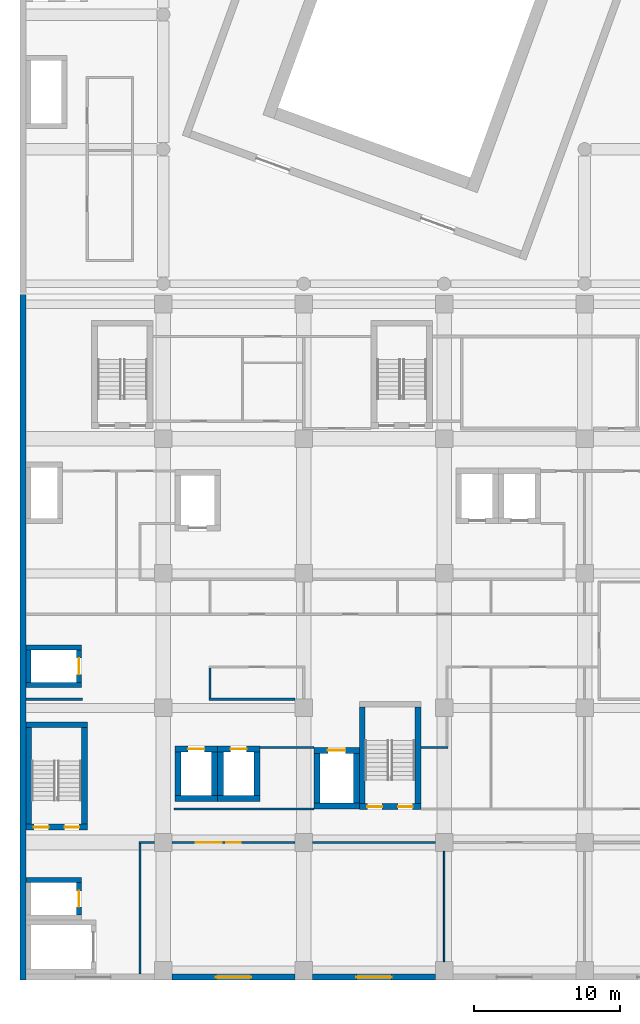
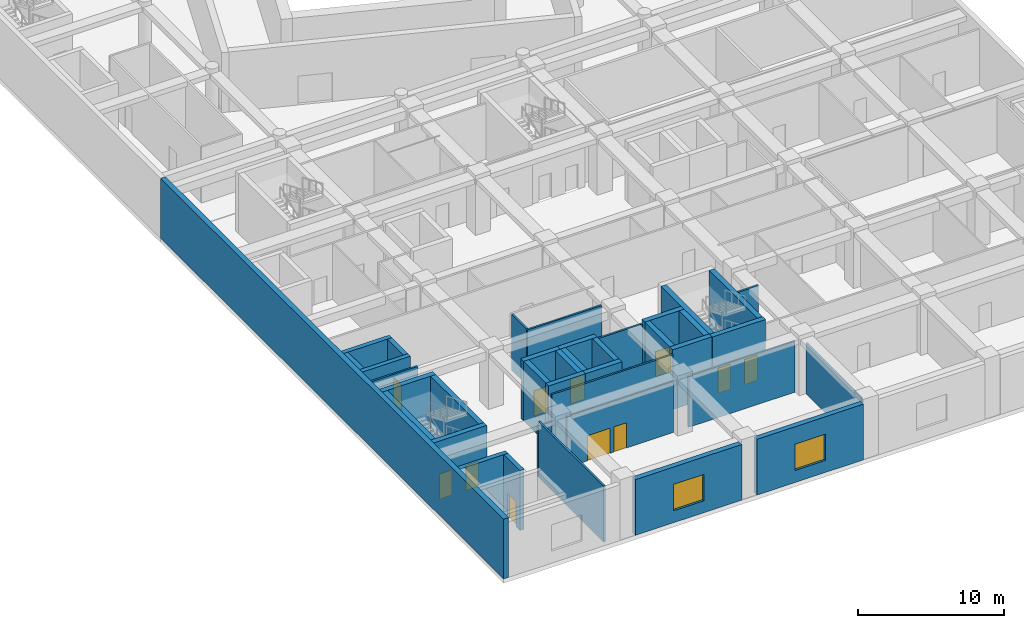
# One storey, part 9 of 31: 39 walls, 11 doors, 2 windows, 13 openings.
"""IFC4 building model written with IfcOpenShell, lengths in metres."""

from ifc_helpers import new_model, si_unit, direction, frame, frame_2d, origin, place, context, subcontext, project, spatial, rectangle, extrude, material, layer, layer_set, layer_usage, type_object, element, fill, save


model = new_model("IFC4")

# Units and contexts
model_context = context("Model", 3, precision=1e-05, world=origin(), true_north=direction((0.0, 1.0)))
body_context = subcontext(model_context, "Body", "Model", "MODEL_VIEW")
ifc_project = project(units=[si_unit("LENGTHUNIT", "METRE"), si_unit("AREAUNIT", "SQUARE_METRE"), si_unit("VOLUMEUNIT", "CUBIC_METRE"), si_unit("PLANEANGLEUNIT", "RADIAN"), si_unit("MASSUNIT", "GRAM", prefix="KILO")], contexts=[model_context])

# Site, building, storey
site_placement = place(None, origin())
site = spatial("IfcSite", under=ifc_project, at=site_placement, CompositionType="ELEMENT")
building_placement = place(site_placement, origin())
building = spatial("IfcBuilding", under=site, at=building_placement, Name="Nzadi Deep Aquarium and Research Tower", CompositionType="ELEMENT")
storey_placement = place(building_placement, frame((0.0, 0.0, 21.699951171875)))
storey = spatial("IfcBuildingStorey", under=building, at=storey_placement, Name="L03", CompositionType="ELEMENT", Elevation=21.699951171875)

# Walls
ifc_material_1 = material(Name="Blockwork masonry", Category="masonry")
ifc_layer_1 = layer(ifc_material_1, 0.10009765625)
ifc_layer_set_1 = layer_set([ifc_layer_1], Name="Blockwork masonry")
wall_type_1 = type_object("IfcWallType", Name="Partition 100 EI 30, 4.25 m high", PredefinedType="PARTITIONING", material=ifc_layer_set_1)
wall_1_placement = place(storey_placement, frame((28.800048828125, 1.050048828125, 0.0), z_axis=(0.0, 0.0, 1.0), x_axis=(0.0, 1.0, 0.0)))
element("IfcWall", 1, at=wall_1_placement, inside=storey, type_object=wall_type_1, Name="W-Z1-L03-P033", PredefinedType="PARTITIONING", context=body_context, shape_type="SweptSolid", body=[
    extrude(rectangle(XDim=7.550048828125, YDim=0.10009765625, at=frame_2d((3.77490234375, 0.0))), origin(), (0.0, 0.0, 1.0), 4.25),
])
ifc_material_2 = material(Name="Blockwork masonry", Category="masonry")
ifc_layer_2 = layer(ifc_material_2, 0.14990234375)
ifc_layer_set_2 = layer_set([ifc_layer_2], Name="Blockwork masonry")
wall_type_2 = type_object("IfcWallType", Name="Partition 150 EI 60", PredefinedType="PARTITIONING", material=ifc_layer_set_2)
wall_2_placement = place(storey_placement, frame((0.2060546875, 19.0, 0.0), z_axis=(0.0, 0.0, 1.0), x_axis=(1.0, 0.0, 0.0)))
element("IfcWall", 2, at=wall_2_placement, inside=storey, type_object=wall_type_2, Name="W-Z1-L03-P001", PredefinedType="PARTITIONING", context=body_context, shape_type="SweptSolid", body=[
    extrude(rectangle(XDim=3.868896484375, YDim=0.14990234375, at=frame_2d((1.9345703125, 0.0))), origin(), (0.0, 0.0, 1.0), 4.650146484375),
])
wall_3_placement = place(storey_placement, frame((8.0, 0.2060546875, 0.0), z_axis=(0.0, 0.0, 1.0), x_axis=(0.0, 1.0, 0.0)))
element("IfcWall", 3, at=wall_3_placement, inside=storey, type_object=wall_type_2, Name="W-Z1-L03-P005", PredefinedType="PARTITIONING", context=body_context, shape_type="SweptSolid", body=[
    extrude(rectangle(XDim=8.9189453125, YDim=0.14990234375, at=frame_2d((4.45947265625, 0.0))), origin(), (0.0, 0.0, 1.0), 4.650146484375),
])
wall_4_placement = place(storey_placement, frame((10.324951171875, 11.5, 0.0), z_axis=(0.0, 0.0, 1.0), x_axis=(1.0, 0.0, 0.0)))
element("IfcWall", 4, at=wall_4_placement, inside=storey, type_object=wall_type_2, Name="W-Z1-L03-P014", PredefinedType="PARTITIONING", context=body_context, shape_type="SweptSolid", body=[
    extrude(rectangle(XDim=9.569091796875, YDim=0.14990234375, at=frame_2d((4.78466796875, 0.0))), origin(), (0.0, 0.0, 1.0), 4.650146484375),
])
wall_5_placement = place(storey_placement, frame((12.72509765625, 19.0, 0.0), z_axis=(0.0, 0.0, 1.0), x_axis=(1.0, 0.0, 0.0)))
element("IfcWall", 5, at=wall_5_placement, inside=storey, type_object=wall_type_2, Name="W-Z1-L03-P015", PredefinedType="PARTITIONING", context=body_context, shape_type="SweptSolid", body=[
    extrude(rectangle(XDim=5.875, YDim=0.14990234375, at=frame_2d((2.9375, 0.0))), origin(), (0.0, 0.0, 1.0), 4.650146484375),
])
wall_6_placement = place(storey_placement, frame((12.800048828125, 19.074951171875, 0.0), z_axis=(0.0, 0.0, 1.0), x_axis=(0.0, 1.0, 0.0)))
element("IfcWall", 6, at=wall_6_placement, inside=storey, type_object=wall_type_2, Name="W-Z1-L03-P016", PredefinedType="PARTITIONING", context=body_context, shape_type="SweptSolid", body=[
    extrude(rectangle(XDim=2.050048828125, YDim=0.14990234375, at=frame_2d((1.02490234375, 0.0))), origin(), (0.0, 0.0, 1.0), 4.650146484375),
])
wall_7_placement = place(storey_placement, frame((16.2060546875, 15.699951171875, 0.0), z_axis=(0.0, 0.0, 1.0), x_axis=(1.0, 0.0, 0.0)))
element("IfcWall", 7, at=wall_7_placement, inside=storey, type_object=wall_type_2, Name="W-Z1-L03-P021", PredefinedType="PARTITIONING", context=body_context, shape_type="SweptSolid", body=[
    extrude(rectangle(XDim=3.68798828125, YDim=0.14990234375, at=frame_2d((1.843994140625, 0.0))), origin(), (0.0, 0.0, 1.0), 4.650146484375),
])
wall_8_placement = place(storey_placement, frame((27.2060546875, 15.699951171875, 0.0), z_axis=(0.0, 0.0, 1.0), x_axis=(1.0, 0.0, 0.0)))
element("IfcWall", 8, at=wall_8_placement, inside=storey, type_object=wall_type_2, Name="W-Z1-L03-P030", PredefinedType="PARTITIONING", context=body_context, shape_type="SweptSolid", body=[
    extrude(rectangle(XDim=1.868896484375, YDim=0.14990234375, at=frame_2d((0.9345703125, 0.0))), origin(), (0.0, 0.0, 1.0), 4.650146484375),
])
ifc_material_3 = material(Name="Blockwork masonry", Category="masonry")
ifc_layer_3 = layer(ifc_material_3, 0.14990234375)
ifc_layer_set_3 = layer_set([ifc_layer_3], Name="Blockwork masonry")
wall_type_3 = type_object("IfcWallType", Name="Partition 150 EI 60, 4.25 m high", PredefinedType="PARTITIONING", material=ifc_layer_set_3)
wall_9_placement = place(storey_placement, frame((7.925048828125, 9.199951171875, 0.0), z_axis=(0.0, 0.0, 1.0), x_axis=(1.0, 0.0, 0.0)))
element("IfcWall", 9, at=wall_9_placement, inside=storey, type_object=wall_type_3, Name="W-Z1-L03-P006", PredefinedType="PARTITIONING", context=body_context, shape_type="SweptSolid", body=[
    extrude(rectangle(XDim=1.074951171875, YDim=0.14990234375, at=frame_2d((0.53759765625, 0.0))), origin(), (0.0, 0.0, 1.0), 4.25),
])

# Wall, openings, doors
wall_10_placement = place(storey_placement, frame((10.199951171875, 9.199951171875, 0.0), z_axis=(0.0, 0.0, 1.0), x_axis=(1.0, 0.0, 0.0)))
wall_10 = element("IfcWall", 10, at=wall_10_placement, inside=storey, type_object=wall_type_3, Name="W-Z1-L03-P012", PredefinedType="PARTITIONING", context=body_context, shape_type="SweptSolid", body=[
    extrude(rectangle(XDim=8.400146484375, YDim=0.14990234375, at=frame_2d((4.2001953125, 0.0))), origin(), (0.0, 0.0, 1.0), 4.25),
])
opening_1_placement = place(wall_10_placement, frame((3.699951171875, 0.0, 0.0)))
opening_1 = element("IfcOpeningElement", 11, at=opening_1_placement, cuts=wall_10, Name="Opening D041015", PredefinedType="OPENING", context=body_context, shape_type="SweptSolid", body=[
    extrude(rectangle(XDim=1.0, YDim=2.10009765625, at=frame_2d((0.5, 1.050048828125))), frame((0.0, 0.0849609375, 0.0), z_axis=(0.0, -1.0, 0.0), x_axis=(1.0, 0.0, 0.0)), (0.0, 0.0, 1.0), 0.169921875),
])
opening_2_placement = place(wall_10_placement, frame((1.60009765625, 0.0, 0.0)))
opening_2 = element("IfcOpeningElement", 12, at=opening_2_placement, cuts=wall_10, Name="Opening D041025", PredefinedType="OPENING", context=body_context, shape_type="SweptSolid", body=[
    extrude(rectangle(XDim=1.800048828125, YDim=2.10009765625, at=frame_2d((0.89990234375, 1.050048828125))), frame((0.0, 0.0849609375, 0.0), z_axis=(0.0, -1.0, 0.0), x_axis=(1.0, 0.0, 0.0)), (0.0, 0.0, 1.0), 0.169921875),
])
ifc_material_4 = material(Name="Fire-rated steel door", Category="steel")
ifc_layer_4 = layer(ifc_material_4, 0.050048828125)
ifc_layer_set_4 = layer_set([ifc_layer_4], Name="Fire-rated steel door")
door_type_1 = type_object("IfcDoorType", Name="Door 1000x2100 EI 60 single", OperationType="SINGLE_SWING_LEFT", PredefinedType="DOOR", material=ifc_layer_set_4)
door_1_placement = place(opening_1_placement, origin())
door_1 = element("IfcDoor", 13, at=door_1_placement, inside=storey, type_object=door_type_1, Name="D041015", OperationType="SINGLE_SWING_LEFT", OverallHeight=2.10009765625, OverallWidth=1.0, PredefinedType="DOOR", context=body_context, shape_type="SweptSolid", body=[
    extrude(rectangle(XDim=1.0, YDim=2.10009765625, at=frame_2d((0.5, 1.050048828125))), frame((0.0, 0.02490234375, 0.0), z_axis=(0.0, -1.0, 0.0), x_axis=(1.0, 0.0, 0.0)), (0.0, 0.0, 1.0), 0.050048828125),
])
fill(opening_1, door_1)
ifc_material_5 = material(Name="Fire-rated steel door", Category="steel")
ifc_layer_5 = layer(ifc_material_5, 0.050048828125)
ifc_layer_set_5 = layer_set([ifc_layer_5], Name="Fire-rated steel door")
door_type_2 = type_object("IfcDoorType", Name="Door 1800x2100 EI 60 double", OperationType="DOUBLE_DOOR_SINGLE_SWING", PredefinedType="DOOR", material=ifc_layer_set_5)
door_2_placement = place(opening_2_placement, origin())
door_2 = element("IfcDoor", 14, at=door_2_placement, inside=storey, type_object=door_type_2, Name="D041025", OperationType="DOUBLE_DOOR_SINGLE_SWING", OverallHeight=2.10009765625, OverallWidth=1.800048828125, PredefinedType="DOOR", context=body_context, shape_type="SweptSolid", body=[
    extrude(rectangle(XDim=1.800048828125, YDim=2.10009765625, at=frame_2d((0.89990234375, 1.050048828125))), frame((0.0, 0.02490234375, 0.0), z_axis=(0.0, -1.0, 0.0), x_axis=(1.0, 0.0, 0.0)), (0.0, 0.0, 1.0), 0.050048828125),
])
fill(opening_2, door_2)

# Walls
wall_11_placement = place(storey_placement, frame((19.800048828125, 9.199951171875, 0.0), z_axis=(0.0, 0.0, 1.0), x_axis=(1.0, 0.0, 0.0)))
element("IfcWall", 15, at=wall_11_placement, inside=storey, type_object=wall_type_3, Name="W-Z1-L03-P026", PredefinedType="PARTITIONING", context=body_context, shape_type="SweptSolid", body=[
    extrude(rectangle(XDim=8.39990234375, YDim=0.14990234375, at=frame_2d((4.199951171875, 0.0))), origin(), (0.0, 0.0, 1.0), 4.25),
])
ifc_material_6 = material(Name="Concrete C35/45", Category="concrete")
ifc_layer_6 = layer(ifc_material_6, 0.35009765625)
ifc_layer_set_6 = layer_set([ifc_layer_6], Name="Concrete C35/45")
wall_type_4 = type_object("IfcWallType", Name="RC core wall 350", PredefinedType="SHEAR", material=ifc_layer_set_6)
wall_12_placement = place(storey_placement, frame((0.199951171875, 6.625, 0.0), z_axis=(0.0, 0.0, 1.0), x_axis=(1.0, 0.0, 0.0)))
element("IfcWall", 16, at=wall_12_placement, inside=storey, type_object=wall_type_4, Name="W-CORE-EL1-L03-N", PredefinedType="SHEAR", context=body_context, shape_type="SweptSolid", body=[
    extrude(rectangle(XDim=3.800048828125, YDim=0.35009765625, at=frame_2d((1.89990234375, 0.0))), origin(), (0.0, 0.0, 1.0), 5.0),
])

# Wall, opening, door
wall_13_placement = place(storey_placement, frame((3.824951171875, 4.25, 0.0), z_axis=(0.0, 0.0, 1.0), x_axis=(0.0, 1.0, 0.0)))
wall_13 = element("IfcWall", 17, at=wall_13_placement, inside=storey, type_object=wall_type_4, Name="W-CORE-EL1-L03-E", PredefinedType="SHEAR", context=body_context, shape_type="SweptSolid", body=[
    extrude(rectangle(XDim=2.199951171875, YDim=0.35009765625, at=frame_2d((1.10009765625, 0.0))), origin(), (0.0, 0.0, 1.0), 5.0),
])
opening_3_placement = place(wall_13_placement, frame((0.550048828125, 0.0, 0.0)))
opening_3 = element("IfcOpeningElement", 18, at=opening_3_placement, cuts=wall_13, Name="Opening LD-EL1-L03", PredefinedType="OPENING", context=body_context, shape_type="SweptSolid", body=[
    extrude(rectangle(XDim=1.10009765625, YDim=2.10009765625, at=frame_2d((0.550048828125, 1.050048828125))), frame((0.0, 0.18505859375, 0.0), z_axis=(0.0, -1.0, 0.0), x_axis=(1.0, 0.0, 0.0)), (0.0, 0.0, 1.0), 0.3701171875),
])
ifc_material_7 = material(Name="Stainless steel 1.4301", Category="steel")
door_type_3 = type_object("IfcDoorType", Name="LANDING DOOR 1100x2100", OperationType="DOUBLE_DOOR_SLIDING", PredefinedType="DOOR", material=ifc_material_7)
door_3_placement = place(opening_3_placement, origin())
door_3 = element("IfcDoor", 19, at=door_3_placement, inside=storey, type_object=door_type_3, Name="Landing door EL1 L03", OperationType="DOUBLE_DOOR_SLIDING", OverallHeight=2.10009765625, OverallWidth=1.10009765625, PredefinedType="DOOR", context=body_context, shape_type="SweptSolid", body=[
    extrude(rectangle(XDim=1.10009765625, YDim=2.10009765625, at=frame_2d((0.550048828125, 1.050048828125))), frame((0.0, 0.02490234375, 0.0), z_axis=(0.0, -1.0, 0.0), x_axis=(1.0, 0.0, 0.0)), (0.0, 0.0, 1.0), 0.050048828125),
])
fill(opening_3, door_3)

# Walls
for number, where, z_axis, x_axis, name in (
    (20, (0.199951171875, 19.97509765625, 0.0), (0.0, 0.0, 1.0), (1.0, 0.0, 0.0), "W-CORE-PL1-L03-S"),
    (21, (0.199951171875, 22.52490234375, 0.0), (0.0, 0.0, 1.0), (1.0, 0.0, 0.0), "W-CORE-PL1-L03-N"),
):
    element("IfcWall", number, at=place(storey_placement, frame(where, z_axis=z_axis, x_axis=x_axis)), inside=storey, type_object=wall_type_4, Name=name, PredefinedType="SHEAR", context=body_context, shape_type="SweptSolid", body=[
        extrude(rectangle(XDim=3.800048828125, YDim=0.35009765625, at=frame_2d((1.89990234375, 0.0))), origin(), (0.0, 0.0, 1.0), 5.0),
    ])
wall_14_placement = place(storey_placement, frame((0.375, 20.14990234375, 0.0), z_axis=(0.0, 0.0, 1.0), x_axis=(0.0, 1.0, 0.0)))
element("IfcWall", 22, at=wall_14_placement, inside=storey, type_object=wall_type_4, Name="W-CORE-PL1-L03-W", PredefinedType="SHEAR", context=body_context, shape_type="SweptSolid", body=[
    extrude(rectangle(XDim=2.2001953125, YDim=0.35009765625, at=frame_2d((1.10009765625, 0.0))), origin(), (0.0, 0.0, 1.0), 5.0),
])

# Wall, opening, door
wall_15_placement = place(storey_placement, frame((3.824951171875, 20.14990234375, 0.0), z_axis=(0.0, 0.0, 1.0), x_axis=(0.0, 1.0, 0.0)))
wall_15 = element("IfcWall", 23, at=wall_15_placement, inside=storey, type_object=wall_type_4, Name="W-CORE-PL1-L03-E", PredefinedType="SHEAR", context=body_context, shape_type="SweptSolid", body=[
    extrude(rectangle(XDim=2.2001953125, YDim=0.35009765625, at=frame_2d((1.10009765625, 0.0))), origin(), (0.0, 0.0, 1.0), 5.0),
])
opening_4_placement = place(wall_15_placement, frame((0.550048828125, 0.0, 0.0)))
opening_4 = element("IfcOpeningElement", 24, at=opening_4_placement, cuts=wall_15, Name="Opening LD-PL1-L03", PredefinedType="OPENING", context=body_context, shape_type="SweptSolid", body=[
    extrude(rectangle(XDim=1.10009765625, YDim=2.10009765625, at=frame_2d((0.550048828125, 1.050048828125))), frame((0.0, 0.18505859375, 0.0), z_axis=(0.0, -1.0, 0.0), x_axis=(1.0, 0.0, 0.0)), (0.0, 0.0, 1.0), 0.3701171875),
])
door_4_placement = place(opening_4_placement, origin())
door_4 = element("IfcDoor", 25, at=door_4_placement, inside=storey, type_object=door_type_3, Name="Landing door PL1 L03", OperationType="DOUBLE_DOOR_SLIDING", OverallHeight=2.10009765625, OverallWidth=1.10009765625, PredefinedType="DOOR", context=body_context, shape_type="SweptSolid", body=[
    extrude(rectangle(XDim=1.10009765625, YDim=2.10009765625, at=frame_2d((0.550048828125, 1.050048828125))), frame((0.0, 0.02490234375, 0.0), z_axis=(0.0, -1.0, 0.0), x_axis=(1.0, 0.0, 0.0)), (0.0, 0.0, 1.0), 0.050048828125),
])
fill(opening_4, door_4)

# Wall, openings, doors
ifc_material_8 = material(Name="Concrete C35/45", Category="concrete")
ifc_layer_7 = layer(ifc_material_8, 0.39990234375)
ifc_layer_set_7 = layer_set([ifc_layer_7], Name="Concrete C35/45")
wall_type_5 = type_object("IfcWallType", Name="RC core wall 400", PredefinedType="SHEAR", material=ifc_layer_set_7)
wall_16_placement = place(storey_placement, frame((0.199951171875, 10.25, 0.0), z_axis=(0.0, 0.0, 1.0), x_axis=(1.0, 0.0, 0.0)))
wall_16 = element("IfcWall", 26, at=wall_16_placement, inside=storey, type_object=wall_type_5, Name="W-CORE-ST-Z1-SW-L03-S", PredefinedType="SHEAR", context=body_context, shape_type="SweptSolid", body=[
    extrude(rectangle(XDim=4.199951171875, YDim=0.39990234375, at=frame_2d((2.10009765625, 0.0))), origin(), (0.0, 0.0, 1.0), 5.0),
])
opening_5_placement = place(wall_16_placement, frame((0.550048828125, 0.0, 0.0)))
opening_5 = element("IfcOpeningElement", 27, at=opening_5_placement, cuts=wall_16, Name="Opening DS-Z1-SW-L03A", PredefinedType="OPENING", context=body_context, shape_type="SweptSolid", body=[
    extrude(rectangle(XDim=1.0, YDim=2.10009765625, at=frame_2d((0.5, 1.050048828125))), frame((0.0, 0.2099609375, 0.0), z_axis=(0.0, -1.0, 0.0), x_axis=(1.0, 0.0, 0.0)), (0.0, 0.0, 1.0), 0.419921875),
])
opening_6_placement = place(wall_16_placement, frame((2.64990234375, 0.0, 0.0)))
opening_6 = element("IfcOpeningElement", 28, at=opening_6_placement, cuts=wall_16, Name="Opening DS-Z1-SW-L03B", PredefinedType="OPENING", context=body_context, shape_type="SweptSolid", body=[
    extrude(rectangle(XDim=1.0, YDim=2.10009765625, at=frame_2d((0.5, 1.050048828125))), frame((0.0, 0.2099609375, 0.0), z_axis=(0.0, -1.0, 0.0), x_axis=(1.0, 0.0, 0.0)), (0.0, 0.0, 1.0), 0.419921875),
])
ifc_material_9 = material(Name="Steel, powder coated", Category="steel")
door_type_4 = type_object("IfcDoorType", Name="STAIR DOOR 1000x2100 EI 60", OperationType="SINGLE_SWING_LEFT", PredefinedType="DOOR", material=ifc_material_9)
door_5_placement = place(opening_5_placement, origin())
door_5 = element("IfcDoor", 29, at=door_5_placement, inside=storey, type_object=door_type_4, Name="Stair door ST-Z1-SW L03 A", OperationType="SINGLE_SWING_RIGHT", OverallHeight=2.10009765625, OverallWidth=1.0, PredefinedType="DOOR", context=body_context, shape_type="SweptSolid", body=[
    extrude(rectangle(XDim=1.0, YDim=2.10009765625, at=frame_2d((0.5, 1.050048828125))), frame((0.0, 0.02490234375, 0.0), z_axis=(0.0, -1.0, 0.0), x_axis=(1.0, 0.0, 0.0)), (0.0, 0.0, 1.0), 0.050048828125),
])
fill(opening_5, door_5)
door_6_placement = place(opening_6_placement, origin())
door_6 = element("IfcDoor", 30, at=door_6_placement, inside=storey, type_object=door_type_4, Name="Stair door ST-Z1-SW L03 B", OperationType="SINGLE_SWING_LEFT", OverallHeight=2.10009765625, OverallWidth=1.0, PredefinedType="DOOR", context=body_context, shape_type="SweptSolid", body=[
    extrude(rectangle(XDim=1.0, YDim=2.10009765625, at=frame_2d((0.5, 1.050048828125))), frame((0.0, 0.02490234375, 0.0), z_axis=(0.0, -1.0, 0.0), x_axis=(1.0, 0.0, 0.0)), (0.0, 0.0, 1.0), 0.050048828125),
])
fill(opening_6, door_6)

# Walls
wall_17_placement = place(storey_placement, frame((0.199951171875, 17.25, 0.0), z_axis=(0.0, 0.0, 1.0), x_axis=(1.0, 0.0, 0.0)))
element("IfcWall", 31, at=wall_17_placement, inside=storey, type_object=wall_type_5, Name="W-CORE-ST-Z1-SW-L03-N", PredefinedType="SHEAR", context=body_context, shape_type="SweptSolid", body=[
    extrude(rectangle(XDim=4.199951171875, YDim=0.39990234375, at=frame_2d((2.10009765625, 0.0))), origin(), (0.0, 0.0, 1.0), 5.0),
])
for number, where, z_axis, x_axis, name in (
    (32, (0.39990234375, 10.449951171875, 0.0), (0.0, 0.0, 1.0), (0.0, 1.0, 0.0), "W-CORE-ST-Z1-SW-L03-W"),
    (33, (4.199951171875, 10.449951171875, 0.0), (0.0, 0.0, 1.0), (0.0, 1.0, 0.0), "W-CORE-ST-Z1-SW-L03-E"),
):
    element("IfcWall", number, at=place(storey_placement, frame(where, z_axis=z_axis, x_axis=x_axis)), inside=storey, type_object=wall_type_5, Name=name, PredefinedType="SHEAR", context=body_context, shape_type="SweptSolid", body=[
        extrude(rectangle(XDim=6.60009765625, YDim=0.39990234375, at=frame_2d((3.300048828125, 0.0))), origin(), (0.0, 0.0, 1.0), 5.0),
    ])

# Wall, openings, doors
wall_18_placement = place(storey_placement, frame((23.0, 11.64990234375, 0.0), z_axis=(0.0, 0.0, 1.0), x_axis=(1.0, 0.0, 0.0)))
wall_18 = element("IfcWall", 34, at=wall_18_placement, inside=storey, type_object=wall_type_5, Name="W-CORE-ST-Z1-SE-L03-S", PredefinedType="SHEAR", context=body_context, shape_type="SweptSolid", body=[
    extrude(rectangle(XDim=4.199951171875, YDim=0.39990234375, at=frame_2d((2.10009765625, 0.0))), origin(), (0.0, 0.0, 1.0), 5.0),
])
opening_7_placement = place(wall_18_placement, frame((0.550048828125, 0.0, 0.0)))
opening_7 = element("IfcOpeningElement", 35, at=opening_7_placement, cuts=wall_18, Name="Opening DS-Z1-SE-L03A", PredefinedType="OPENING", context=body_context, shape_type="SweptSolid", body=[
    extrude(rectangle(XDim=1.0, YDim=2.10009765625, at=frame_2d((0.5, 1.050048828125))), frame((0.0, 0.2099609375, 0.0), z_axis=(0.0, -1.0, 0.0), x_axis=(1.0, 0.0, 0.0)), (0.0, 0.0, 1.0), 0.419921875),
])
opening_8_placement = place(wall_18_placement, frame((2.64990234375, 0.0, 0.0)))
opening_8 = element("IfcOpeningElement", 36, at=opening_8_placement, cuts=wall_18, Name="Opening DS-Z1-SE-L03B", PredefinedType="OPENING", context=body_context, shape_type="SweptSolid", body=[
    extrude(rectangle(XDim=1.0, YDim=2.10009765625, at=frame_2d((0.5, 1.050048828125))), frame((0.0, 0.2099609375, 0.0), z_axis=(0.0, -1.0, 0.0), x_axis=(1.0, 0.0, 0.0)), (0.0, 0.0, 1.0), 0.419921875),
])
door_7_placement = place(opening_7_placement, origin())
door_7 = element("IfcDoor", 37, at=door_7_placement, inside=storey, type_object=door_type_4, Name="Stair door ST-Z1-SE L03 A", OperationType="SINGLE_SWING_RIGHT", OverallHeight=2.10009765625, OverallWidth=1.0, PredefinedType="DOOR", context=body_context, shape_type="SweptSolid", body=[
    extrude(rectangle(XDim=1.0, YDim=2.10009765625, at=frame_2d((0.5, 1.050048828125))), frame((0.0, 0.02490234375, 0.0), z_axis=(0.0, -1.0, 0.0), x_axis=(1.0, 0.0, 0.0)), (0.0, 0.0, 1.0), 0.050048828125),
])
fill(opening_7, door_7)
door_8_placement = place(opening_8_placement, origin())
door_8 = element("IfcDoor", 38, at=door_8_placement, inside=storey, type_object=door_type_4, Name="Stair door ST-Z1-SE L03 B", OperationType="SINGLE_SWING_LEFT", OverallHeight=2.10009765625, OverallWidth=1.0, PredefinedType="DOOR", context=body_context, shape_type="SweptSolid", body=[
    extrude(rectangle(XDim=1.0, YDim=2.10009765625, at=frame_2d((0.5, 1.050048828125))), frame((0.0, 0.02490234375, 0.0), z_axis=(0.0, -1.0, 0.0), x_axis=(1.0, 0.0, 0.0)), (0.0, 0.0, 1.0), 0.050048828125),
])
fill(opening_8, door_8)

# Walls
for number, where, z_axis, x_axis, name in (
    (39, (23.199951171875, 11.85009765625, 0.0), (0.0, 0.0, 1.0), (0.0, 1.0, 0.0), "W-CORE-ST-Z1-SE-L03-W"),
    (40, (27.0, 11.85009765625, 0.0), (0.0, 0.0, 1.0), (0.0, 1.0, 0.0), "W-CORE-ST-Z1-SE-L03-E"),
):
    element("IfcWall", number, at=place(storey_placement, frame(where, z_axis=z_axis, x_axis=x_axis)), inside=storey, type_object=wall_type_5, Name=name, PredefinedType="SHEAR", context=body_context, shape_type="SweptSolid", body=[
        extrude(rectangle(XDim=6.599853515625, YDim=0.39990234375, at=frame_2d((3.2998046875, 0.0))), origin(), (0.0, 0.0, 1.0), 5.0),
    ])
wall_19_placement = place(storey_placement, frame((10.39990234375, 12.199951171875, 0.0), z_axis=(0.0, 0.0, 1.0), x_axis=(1.0, 0.0, 0.0)))
element("IfcWall", 41, at=wall_19_placement, inside=storey, type_object=wall_type_5, Name="W-CORE-TL1-L03-S", PredefinedType="SHEAR", context=body_context, shape_type="SweptSolid", body=[
    extrude(rectangle(XDim=2.900146484375, YDim=0.39990234375, at=frame_2d((1.4501953125, 0.0))), origin(), (0.0, 0.0, 1.0), 5.0),
])

# Wall, opening, door
wall_20_placement = place(storey_placement, frame((10.39990234375, 15.60009765625, 0.0), z_axis=(0.0, 0.0, 1.0), x_axis=(1.0, 0.0, 0.0)))
wall_20 = element("IfcWall", 42, at=wall_20_placement, inside=storey, type_object=wall_type_5, Name="W-CORE-TL1-L03-N", PredefinedType="SHEAR", context=body_context, shape_type="SweptSolid", body=[
    extrude(rectangle(XDim=2.900146484375, YDim=0.39990234375, at=frame_2d((1.4501953125, 0.0))), origin(), (0.0, 0.0, 1.0), 5.0),
])
opening_9_placement = place(wall_20_placement, frame((0.89990234375, 0.0, 0.0)))
opening_9 = element("IfcOpeningElement", 43, at=opening_9_placement, cuts=wall_20, Name="Opening LD-TL1-L03", PredefinedType="OPENING", context=body_context, shape_type="SweptSolid", body=[
    extrude(rectangle(XDim=1.10009765625, YDim=2.10009765625, at=frame_2d((0.550048828125, 1.050048828125))), frame((0.0, 0.2099609375, 0.0), z_axis=(0.0, -1.0, 0.0), x_axis=(1.0, 0.0, 0.0)), (0.0, 0.0, 1.0), 0.419921875),
])
door_9_placement = place(opening_9_placement, origin())
door_9 = element("IfcDoor", 44, at=door_9_placement, inside=storey, type_object=door_type_3, Name="Landing door TL1 L03", OperationType="DOUBLE_DOOR_SLIDING", OverallHeight=2.10009765625, OverallWidth=1.10009765625, PredefinedType="DOOR", context=body_context, shape_type="SweptSolid", body=[
    extrude(rectangle(XDim=1.10009765625, YDim=2.10009765625, at=frame_2d((0.550048828125, 1.050048828125))), frame((0.0, 0.02490234375, 0.0), z_axis=(0.0, -1.0, 0.0), x_axis=(1.0, 0.0, 0.0)), (0.0, 0.0, 1.0), 0.050048828125),
])
fill(opening_9, door_9)

# Walls
for number, where, z_axis, x_axis, name in (
    (45, (10.60009765625, 12.39990234375, 0.0), (0.0, 0.0, 1.0), (0.0, 1.0, 0.0), "W-CORE-TL1-L03-W"),
    (46, (13.10009765625, 12.39990234375, 0.0), (0.0, 0.0, 1.0), (0.0, 1.0, 0.0), "W-CORE-TL1-L03-E"),
):
    element("IfcWall", number, at=place(storey_placement, frame(where, z_axis=z_axis, x_axis=x_axis)), inside=storey, type_object=wall_type_5, Name=name, PredefinedType="SHEAR", context=body_context, shape_type="SweptSolid", body=[
        extrude(rectangle(XDim=3.0, YDim=0.39990234375, at=frame_2d((1.5, 0.0))), origin(), (0.0, 0.0, 1.0), 5.0),
    ])
wall_21_placement = place(storey_placement, frame((13.300048828125, 12.199951171875, 0.0), z_axis=(0.0, 0.0, 1.0), x_axis=(1.0, 0.0, 0.0)))
element("IfcWall", 47, at=wall_21_placement, inside=storey, type_object=wall_type_5, Name="W-CORE-TL2-L03-S", PredefinedType="SHEAR", context=body_context, shape_type="SweptSolid", body=[
    extrude(rectangle(XDim=2.89990234375, YDim=0.39990234375, at=frame_2d((1.449951171875, 0.0))), origin(), (0.0, 0.0, 1.0), 5.0),
])

# Wall, opening, door
wall_22_placement = place(storey_placement, frame((13.300048828125, 15.60009765625, 0.0), z_axis=(0.0, 0.0, 1.0), x_axis=(1.0, 0.0, 0.0)))
wall_22 = element("IfcWall", 48, at=wall_22_placement, inside=storey, type_object=wall_type_5, Name="W-CORE-TL2-L03-N", PredefinedType="SHEAR", context=body_context, shape_type="SweptSolid", body=[
    extrude(rectangle(XDim=2.89990234375, YDim=0.39990234375, at=frame_2d((1.449951171875, 0.0))), origin(), (0.0, 0.0, 1.0), 5.0),
])
opening_10_placement = place(wall_22_placement, frame((0.89990234375, 0.0, 0.0)))
opening_10 = element("IfcOpeningElement", 49, at=opening_10_placement, cuts=wall_22, Name="Opening LD-TL2-L03", PredefinedType="OPENING", context=body_context, shape_type="SweptSolid", body=[
    extrude(rectangle(XDim=1.10009765625, YDim=2.10009765625, at=frame_2d((0.550048828125, 1.050048828125))), frame((0.0, 0.2099609375, 0.0), z_axis=(0.0, -1.0, 0.0), x_axis=(1.0, 0.0, 0.0)), (0.0, 0.0, 1.0), 0.419921875),
])
door_10_placement = place(opening_10_placement, origin())
door_10 = element("IfcDoor", 50, at=door_10_placement, inside=storey, type_object=door_type_3, Name="Landing door TL2 L03", OperationType="DOUBLE_DOOR_SLIDING", OverallHeight=2.10009765625, OverallWidth=1.10009765625, PredefinedType="DOOR", context=body_context, shape_type="SweptSolid", body=[
    extrude(rectangle(XDim=1.10009765625, YDim=2.10009765625, at=frame_2d((0.550048828125, 1.050048828125))), frame((0.0, 0.02490234375, 0.0), z_axis=(0.0, -1.0, 0.0), x_axis=(1.0, 0.0, 0.0)), (0.0, 0.0, 1.0), 0.050048828125),
])
fill(opening_10, door_10)

# Walls
for number, where, z_axis, x_axis, name in (
    (51, (13.5, 12.39990234375, 0.0), (0.0, 0.0, 1.0), (0.0, 1.0, 0.0), "W-CORE-TL2-L03-W"),
    (52, (16.0, 12.39990234375, 0.0), (0.0, 0.0, 1.0), (0.0, 1.0, 0.0), "W-CORE-TL2-L03-E"),
):
    element("IfcWall", number, at=place(storey_placement, frame(where, z_axis=z_axis, x_axis=x_axis)), inside=storey, type_object=wall_type_5, Name=name, PredefinedType="SHEAR", context=body_context, shape_type="SweptSolid", body=[
        extrude(rectangle(XDim=3.0, YDim=0.39990234375, at=frame_2d((1.5, 0.0))), origin(), (0.0, 0.0, 1.0), 5.0),
    ])
wall_23_placement = place(storey_placement, frame((19.89990234375, 11.699951171875, 0.0), z_axis=(0.0, 0.0, 1.0), x_axis=(1.0, 0.0, 0.0)))
element("IfcWall", 53, at=wall_23_placement, inside=storey, type_object=wall_type_5, Name="W-CORE-FL1-L03-S", PredefinedType="SHEAR", context=body_context, shape_type="SweptSolid", body=[
    extrude(rectangle(XDim=3.10009765625, YDim=0.39990234375, at=frame_2d((1.550048828125, 0.0))), origin(), (0.0, 0.0, 1.0), 5.0),
])

# Wall, opening, door
wall_24_placement = place(storey_placement, frame((19.89990234375, 15.5, 0.0), z_axis=(0.0, 0.0, 1.0), x_axis=(1.0, 0.0, 0.0)))
wall_24 = element("IfcWall", 54, at=wall_24_placement, inside=storey, type_object=wall_type_5, Name="W-CORE-FL1-L03-N", PredefinedType="SHEAR", context=body_context, shape_type="SweptSolid", body=[
    extrude(rectangle(XDim=3.10009765625, YDim=0.39990234375, at=frame_2d((1.550048828125, 0.0))), origin(), (0.0, 0.0, 1.0), 5.0),
])
opening_11_placement = place(wall_24_placement, frame((0.949951171875, 0.0, 0.0)))
opening_11 = element("IfcOpeningElement", 55, at=opening_11_placement, cuts=wall_24, Name="Opening LD-FL1-L03", PredefinedType="OPENING", context=body_context, shape_type="SweptSolid", body=[
    extrude(rectangle(XDim=1.199951171875, YDim=2.10009765625, at=frame_2d((0.60009765625, 1.050048828125))), frame((0.0, 0.2099609375, 0.0), z_axis=(0.0, -1.0, 0.0), x_axis=(1.0, 0.0, 0.0)), (0.0, 0.0, 1.0), 0.419921875),
])
ifc_material_10 = material(Name="Stainless steel 1.4301", Category="steel")
door_type_5 = type_object("IfcDoorType", Name="LANDING DOOR 1200x2100", OperationType="DOUBLE_DOOR_SLIDING", PredefinedType="DOOR", material=ifc_material_10)
door_11_placement = place(opening_11_placement, origin())
door_11 = element("IfcDoor", 56, at=door_11_placement, inside=storey, type_object=door_type_5, Name="Landing door FL1 L03", OperationType="DOUBLE_DOOR_SLIDING", OverallHeight=2.10009765625, OverallWidth=1.199951171875, PredefinedType="DOOR", context=body_context, shape_type="SweptSolid", body=[
    extrude(rectangle(XDim=1.199951171875, YDim=2.10009765625, at=frame_2d((0.60009765625, 1.050048828125))), frame((0.0, 0.02490234375, 0.0), z_axis=(0.0, -1.0, 0.0), x_axis=(1.0, 0.0, 0.0)), (0.0, 0.0, 1.0), 0.050048828125),
])
fill(opening_11, door_11)

# Walls
for number, where, z_axis, x_axis, name in (
    (57, (20.10009765625, 11.89990234375, 0.0), (0.0, 0.0, 1.0), (0.0, 1.0, 0.0), "W-CORE-FL1-L03-W"),
    (58, (22.800048828125, 11.89990234375, 0.0), (0.0, 0.0, 1.0), (0.0, 1.0, 0.0), "W-CORE-FL1-L03-E"),
):
    element("IfcWall", number, at=place(storey_placement, frame(where, z_axis=z_axis, x_axis=x_axis)), inside=storey, type_object=wall_type_5, Name=name, PredefinedType="SHEAR", context=body_context, shape_type="SweptSolid", body=[
        extrude(rectangle(XDim=3.400146484375, YDim=0.39990234375, at=frame_2d((1.7001953125, 0.0))), origin(), (0.0, 0.0, 1.0), 5.0),
    ])
ifc_material_11 = material(Name="Concrete C35/45", Category="concrete")
ifc_layer_8 = layer(ifc_material_11, 0.39990234375)
ifc_layer_set_8 = layer_set([ifc_layer_8], Name="Concrete C35/45")
wall_type_6 = type_object("IfcWallType", Name="RC party wall 400", PredefinedType="SHEAR", material=ifc_layer_set_8)
wall_25_placement = place(storey_placement, frame((0.00048828125, -0.199951171875, 0.0), z_axis=(0.0, 0.0, 1.0), x_axis=(0.0, 1.0, 0.0)))
element("IfcWall", 59, at=wall_25_placement, inside=storey, type_object=wall_type_6, Name="W-PTY-Z1-L03-W", PredefinedType="SHEAR", context=body_context, shape_type="SweptSolid", body=[
    extrude(rectangle(XDim=46.8798828125, YDim=0.39990234375, at=frame_2d((23.43994140625, 0.0))), origin(), (0.0, 0.0, 1.0), 5.0),
])

# Wall, opening, window
ifc_material_12 = material(Name="Concrete C35/45", Category="concrete")
ifc_layer_9 = layer(ifc_material_12, 0.25, Category="cladding")
ifc_material_13 = material(Name="Mineral wool insulation")
ifc_layer_10 = layer(ifc_material_13, 0.10009765625, Category="insulation")
ifc_material_14 = material(Name="Concrete block lining", Category="concrete")
ifc_layer_11 = layer(ifc_material_14, 0.050048828125, Category="lining")
ifc_layer_set_9 = layer_set([ifc_layer_9, ifc_layer_10, ifc_layer_11], Name="Concrete C35/45, Mineral wool insulation, Concrete block lining")
ifc_layer_usage_1 = layer_usage(ifc_layer_set_9, "AXIS2", "POSITIVE", -0.199951171875)
wall_type_7 = type_object("IfcWallType", Name="South end wall board-formed concrete 400", PredefinedType="ELEMENTEDWALL", material=ifc_layer_set_9)
wall_26_placement = place(storey_placement, frame((10.199951171875, 0.0, 0.0), z_axis=(0.0, 0.0, 1.0), x_axis=(1.0, 0.0, 0.0)))
wall_26 = element("IfcWall", 60, at=wall_26_placement, inside=storey, type_object=wall_type_7, material=ifc_layer_usage_1, Name="South end wall L03", PredefinedType="ELEMENTEDWALL", context=body_context, shape_type="SweptSolid", body=[
    extrude(rectangle(XDim=8.400146484375, YDim=0.39990234375, at=frame_2d((4.2001953125, 0.0))), origin(), (0.0, 0.0, 1.0), 4.650146484375),
])
opening_12_placement = place(wall_26_placement, frame((3.0, 0.0, 1.0)))
opening_12 = element("IfcOpeningElement", 61, at=opening_12_placement, cuts=wall_26, Name="Opening WN09", PredefinedType="OPENING", context=body_context, shape_type="SweptSolid", body=[
    extrude(rectangle(XDim=2.39990234375, YDim=2.199951171875, at=frame_2d((1.199951171875, 1.10009765625))), frame((0.0, 0.2099609375, 0.0), z_axis=(0.0, -1.0, 0.0), x_axis=(1.0, 0.0, 0.0)), (0.0, 0.0, 1.0), 0.419921875),
])
ifc_material_15 = material(Name="Aluminium framed glazing", Category="aluminium")
window_type = type_object("IfcWindowType", Name="Punched window 2400x2200 sill 1000", PartitioningType="SINGLE_PANEL", PredefinedType="WINDOW", material=ifc_material_15)
window_1_placement = place(opening_12_placement, origin())
window_1 = element("IfcWindow", 62, at=window_1_placement, inside=storey, type_object=window_type, Name="Podium south face window L03", OverallHeight=2.199951171875, OverallWidth=2.39990234375, PartitioningType="SINGLE_PANEL", PredefinedType="WINDOW", context=body_context, shape_type="SweptSolid", body=[
    extrude(rectangle(XDim=2.39990234375, YDim=2.199951171875, at=frame_2d((1.199951171875, 1.10009765625))), frame((0.0, 0.030029296875, 0.0), z_axis=(0.0, -1.0, 0.0), x_axis=(1.0, 0.0, 0.0)), (0.0, 0.0, 1.0), 0.06005859375),
])
fill(opening_12, window_1)

ifc_layer_usage_2 = layer_usage(ifc_layer_set_9, "AXIS2", "POSITIVE", -0.199951171875)
wall_27_placement = place(storey_placement, frame((19.800048828125, 0.0, 0.0), z_axis=(0.0, 0.0, 1.0), x_axis=(1.0, 0.0, 0.0)))
wall_27 = element("IfcWall", 63, at=wall_27_placement, inside=storey, type_object=wall_type_7, material=ifc_layer_usage_2, Name="South end wall L03", PredefinedType="ELEMENTEDWALL", context=body_context, shape_type="SweptSolid", body=[
    extrude(rectangle(XDim=8.39990234375, YDim=0.39990234375, at=frame_2d((4.199951171875, 0.0))), origin(), (0.0, 0.0, 1.0), 4.650146484375),
])
opening_13_placement = place(wall_27_placement, frame((3.0, 0.0, 1.0)))
opening_13 = element("IfcOpeningElement", 64, at=opening_13_placement, cuts=wall_27, Name="Opening WN09", PredefinedType="OPENING", context=body_context, shape_type="SweptSolid", body=[
    extrude(rectangle(XDim=2.39990234375, YDim=2.199951171875, at=frame_2d((1.199951171875, 1.10009765625))), frame((0.0, 0.2099609375, 0.0), z_axis=(0.0, -1.0, 0.0), x_axis=(1.0, 0.0, 0.0)), (0.0, 0.0, 1.0), 0.419921875),
])
window_2_placement = place(opening_13_placement, origin())
window_2 = element("IfcWindow", 65, at=window_2_placement, inside=storey, type_object=window_type, Name="Podium south face window L03", OverallHeight=2.199951171875, OverallWidth=2.39990234375, PartitioningType="SINGLE_PANEL", PredefinedType="WINDOW", context=body_context, shape_type="SweptSolid", body=[
    extrude(rectangle(XDim=2.39990234375, YDim=2.199951171875, at=frame_2d((1.199951171875, 1.10009765625))), frame((0.0, 0.030029296875, 0.0), z_axis=(0.0, -1.0, 0.0), x_axis=(1.0, 0.0, 0.0)), (0.0, 0.0, 1.0), 0.06005859375),
])
fill(opening_13, window_2)

save(model, "model.ifc")
